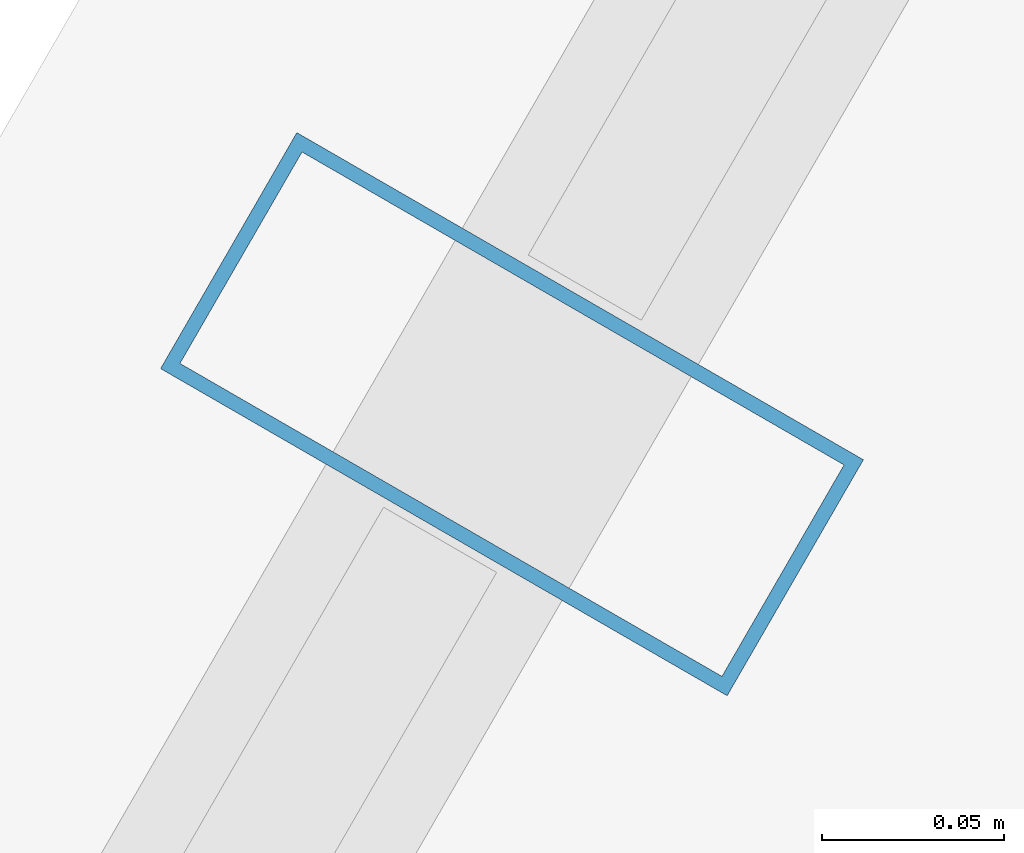
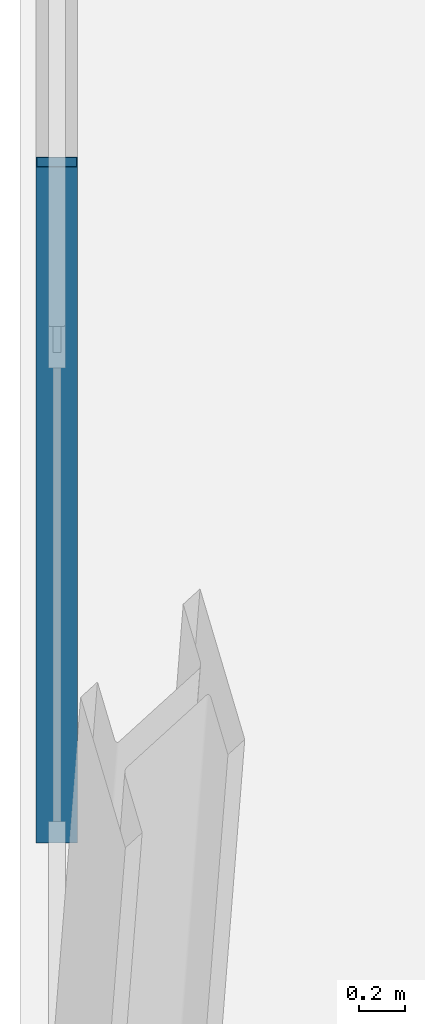
# One storey, part 12 of 33: 1 member, 1 element without a shape of its own.
"""IFC4 building model written with IfcOpenShell, lengths in metres."""

from ifc_helpers import new_model, si_unit, direction, frame, origin, origin_2d, place, context, subcontext, project, spatial, hollow_rectangle, extrude, material, layer, layer_set, material_profile, profile_set, type_object, element, aggregate, save


model = new_model("IFC4")

# Units and contexts
model_context = context("Model", 3, precision=1e-05, world=origin(), true_north=direction((0.0, 1.0)))
body_context = subcontext(model_context, "Body", "Model", "MODEL_VIEW")
ifc_project = project(units=[si_unit("LENGTHUNIT", "METRE"), si_unit("AREAUNIT", "SQUARE_METRE"), si_unit("VOLUMEUNIT", "CUBIC_METRE"), si_unit("PLANEANGLEUNIT", "RADIAN"), si_unit("MASSUNIT", "GRAM", prefix="KILO")], contexts=[model_context])

# Site, building, storey
site_placement = place(None, origin())
site = spatial("IfcSite", under=ifc_project, at=site_placement, CompositionType="ELEMENT")
building_placement = place(site_placement, origin())
building = spatial("IfcBuilding", under=site, at=building_placement, Name="Ndaravel Arena Tower", CompositionType="ELEMENT")
storey_placement = place(building_placement, frame((0.0, 0.0, 43.60009765625)))
storey = spatial("IfcBuildingStorey", under=building, at=storey_placement, Name="L08", CompositionType="ELEMENT", Elevation=43.60009765625)

# Curtain wall, member
ifc_material_1 = material(Name="Aluminium", Category="aluminium")
ifc_layer = layer(ifc_material_1, 0.179931640625)
ifc_layer_set = layer_set([ifc_layer], Name="Aluminium")
curtain_wall_type = type_object("IfcCurtainWallType", Name="CW-SYS-03", PredefinedType="NOTDEFINED", material=ifc_layer_set)
curtain_wall_placement = place(storey_placement, origin())
curtain_wall = element("IfcCurtainWall", 1, at=curtain_wall_placement, inside=storey, type_object=curtain_wall_type, Name="L08 Faceted Crystal Curtain Wall CW-L08-E05", PredefinedType="NOTDEFINED")
ifc_material_2 = material(Name="Aluminium", Category="aluminium")
ifc_material_profile = material_profile(ifc_material_2, hollow_rectangle(XDim=0.074951171875, YDim=0.179931640625, WallThickness=0.00390625, at=origin_2d()), Name="CW MULLION 75x180x4")
ifc_profile_set = profile_set([ifc_material_profile], Name="Aluminium")
member_type = type_object("IfcMemberType", Name="MEM-CW-MUL180", PredefinedType="MULLION", material=ifc_profile_set)
member_placement = place(storey_placement, frame((27.208984375, 34.561279296875, 0.0), z_axis=(0.0, 0.0, 1.0), x_axis=(-0.5, -0.866025403784, 0.0)))
member = element("IfcMember", 2, at=member_placement, type_object=member_type, Name="CW-L08-E05 Mullion 03", PredefinedType="MULLION", context=body_context, shape_type="SweptSolid", body=[
    extrude(hollow_rectangle(XDim=0.074951171875, YDim=0.179931640625, WallThickness=0.00390625, at=origin_2d()), origin(), (0.0, 0.0, 1.0), 3.579833984375),
])
aggregate(curtain_wall, [member])

save(model, "model.ifc")
